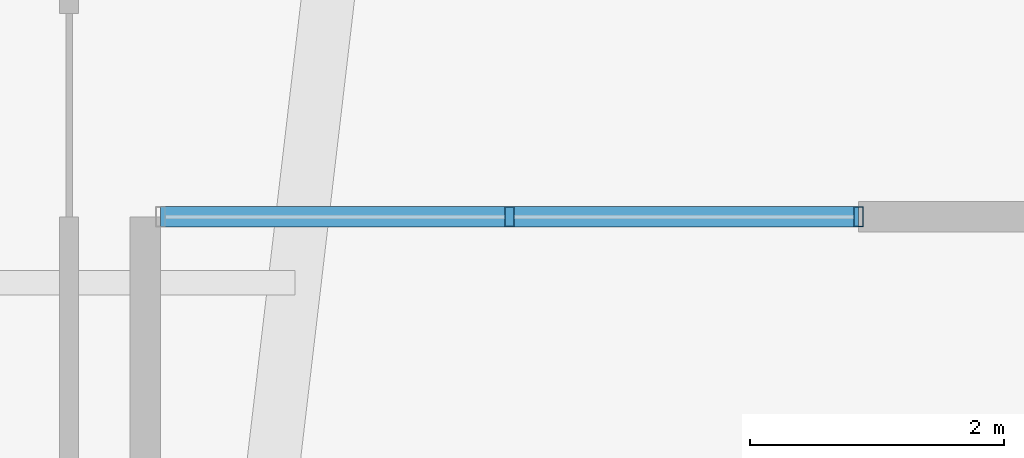
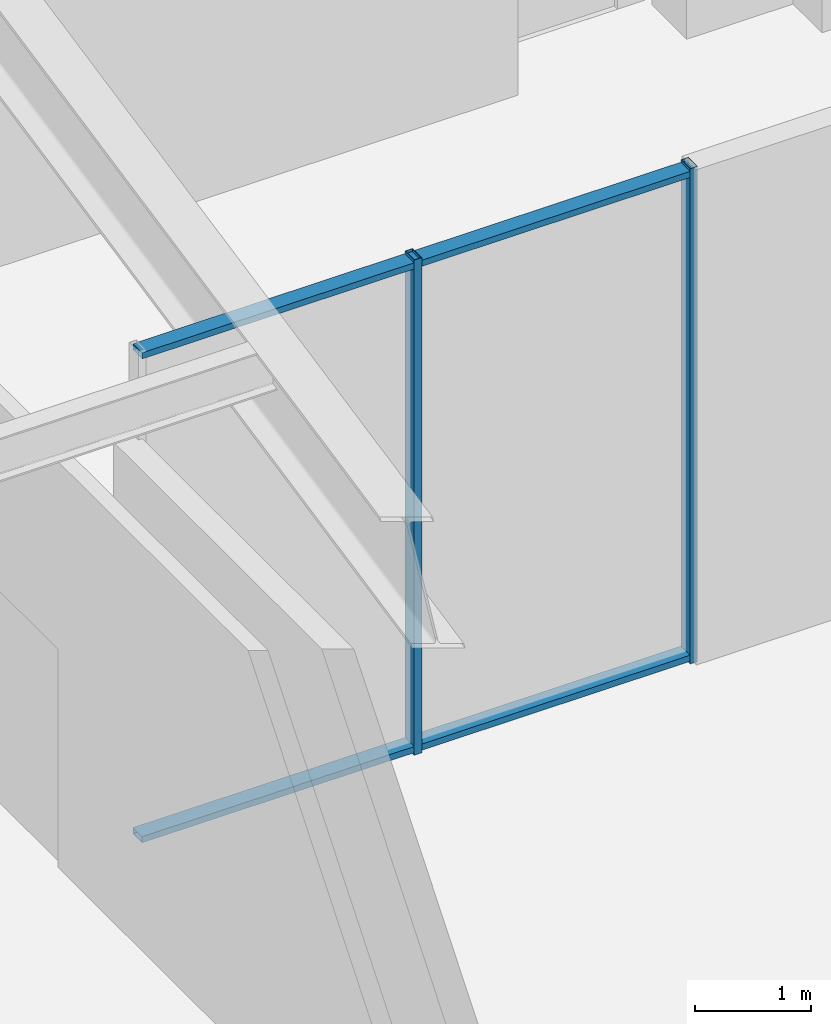
# One storey, part 8 of 24: 4 members, 1 element without a shape of its own.
"""IFC4 building model written with IfcOpenShell, lengths in metres."""

from ifc_helpers import new_model, si_unit, direction, frame, origin, origin_2d, place, context, subcontext, project, spatial, hollow_rectangle, extrude, material, material_profile, profile_set, type_object, element, aggregate, save


model = new_model("IFC4")

# Units and contexts
model_context = context("Model", 3, precision=1e-05, world=origin(), true_north=direction((0.0, 1.0)))
body_context = subcontext(model_context, "Body", "Model", "MODEL_VIEW")
ifc_project = project(units=[si_unit("LENGTHUNIT", "METRE"), si_unit("AREAUNIT", "SQUARE_METRE"), si_unit("VOLUMEUNIT", "CUBIC_METRE"), si_unit("PLANEANGLEUNIT", "RADIAN"), si_unit("MASSUNIT", "GRAM", prefix="KILO")], contexts=[model_context])

# Site, building, storey
site_placement = place(None, origin())
site = spatial("IfcSite", under=ifc_project, at=site_placement, CompositionType="ELEMENT")
building_placement = place(site_placement, origin())
building = spatial("IfcBuilding", under=site, at=building_placement, Name="Kolvaren Belvedere", CompositionType="ELEMENT")
storey_placement = place(building_placement, origin())
storey = spatial("IfcBuildingStorey", under=building, at=storey_placement, Name="L01", CompositionType="ELEMENT", Elevation=0.0)

# Curtain wall, members
ifc_material_1 = material(Name="Anodised pale-metal aluminium AA 6063-T6", Category="aluminium")
curtain_wall_type = type_object("IfcCurtainWallType", Name="CW-POD-A", PredefinedType="NOTDEFINED", material=ifc_material_1)
curtain_wall_placement = place(storey_placement, origin())
curtain_wall = element("IfcCurtainWall", 1, at=curtain_wall_placement, inside=storey, type_object=curtain_wall_type, Name="L01 Unitised Curtain Wall FCW-L01-PORT-W", PredefinedType="NOTDEFINED")
ifc_material_2 = material(Name="Anodised pale-metal aluminium AA 6063-T6", Category="aluminium")
ifc_material_profile_1 = material_profile(ifc_material_2, hollow_rectangle(XDim=0.074951171875, YDim=0.159912109375, WallThickness=0.00439453125, at=origin_2d()), Name="ALU-MUL-160X75")
ifc_profile_set_1 = profile_set([ifc_material_profile_1], Name="Anodised pale-metal aluminium AA 6063-T6")
member_type_1 = type_object("IfcMemberType", Name="CW-MUL-160", PredefinedType="MULLION", material=ifc_profile_set_1)
member_1_placement = place(storey_placement, frame((-6.5, -18.280029296875, 0.0), z_axis=(0.0, 0.0, 1.0), x_axis=(1.0, 0.0, 0.0)))
member_1 = element("IfcMember", 2, at=member_1_placement, type_object=member_type_1, Name="FCW-L01-PORT-W Unitised Mullion 1", PredefinedType="MULLION", context=body_context, shape_type="SweptSolid", body=[
    extrude(hollow_rectangle(XDim=0.074951171875, YDim=0.159912109375, WallThickness=0.00439453125, at=origin_2d()), origin(), (0.0, 0.0, 1.0), 5.219970703125),
])
member_2_placement = place(storey_placement, frame((-9.25, -18.280029296875, 0.0), z_axis=(0.0, 0.0, 1.0), x_axis=(1.0, 0.0, 0.0)))
member_2 = element("IfcMember", 3, at=member_2_placement, type_object=member_type_1, Name="FCW-L01-PORT-W Unitised Mullion 2", PredefinedType="MULLION", context=body_context, shape_type="SweptSolid", body=[
    extrude(hollow_rectangle(XDim=0.074951171875, YDim=0.159912109375, WallThickness=0.00439453125, at=origin_2d()), origin(), (0.0, 0.0, 1.0), 5.219970703125),
])
ifc_material_3 = material(Name="Anodised pale-metal aluminium AA 6063-T6", Category="aluminium")
ifc_material_profile_2 = material_profile(ifc_material_3, hollow_rectangle(XDim=0.06494140625, YDim=0.159912109375, WallThickness=0.00390625, at=origin_2d()), Name="ALU-TRN-160X65")
ifc_profile_set_2 = profile_set([ifc_material_profile_2], Name="Anodised pale-metal aluminium AA 6063-T6")
member_type_2 = type_object("IfcMemberType", Name="CW-TRN-160", PredefinedType="USERDEFINED", material=ifc_profile_set_2)
member_3_placement = place(storey_placement, frame((-6.5, -18.280029296875, 0.06005859375), z_axis=(-1.0, 0.0, 0.0), x_axis=(0.0, 0.0, 1.0)))
member_3 = element("IfcMember", 4, at=member_3_placement, type_object=member_type_2, Name="FCW-L01-PORT-W Sill Transom", ObjectType="TRANSOM", PredefinedType="USERDEFINED", context=body_context, shape_type="SweptSolid", body=[
    extrude(hollow_rectangle(XDim=0.06494140625, YDim=0.159912109375, WallThickness=0.00390625, at=origin_2d()), origin(), (0.0, 0.0, 1.0), 5.5),
])
member_4_placement = place(storey_placement, frame((-6.5, -18.280029296875, 5.159912109375), z_axis=(-1.0, 0.0, 0.0), x_axis=(0.0, 0.0, 1.0)))
member_4 = element("IfcMember", 5, at=member_4_placement, type_object=member_type_2, Name="FCW-L01-PORT-W Head Transom", ObjectType="TRANSOM", PredefinedType="USERDEFINED", context=body_context, shape_type="SweptSolid", body=[
    extrude(hollow_rectangle(XDim=0.06494140625, YDim=0.159912109375, WallThickness=0.00390625, at=origin_2d()), origin(), (0.0, 0.0, 1.0), 5.5),
])
aggregate(curtain_wall, [member_1, member_2, member_3, member_4])

save(model, "model.ifc")
